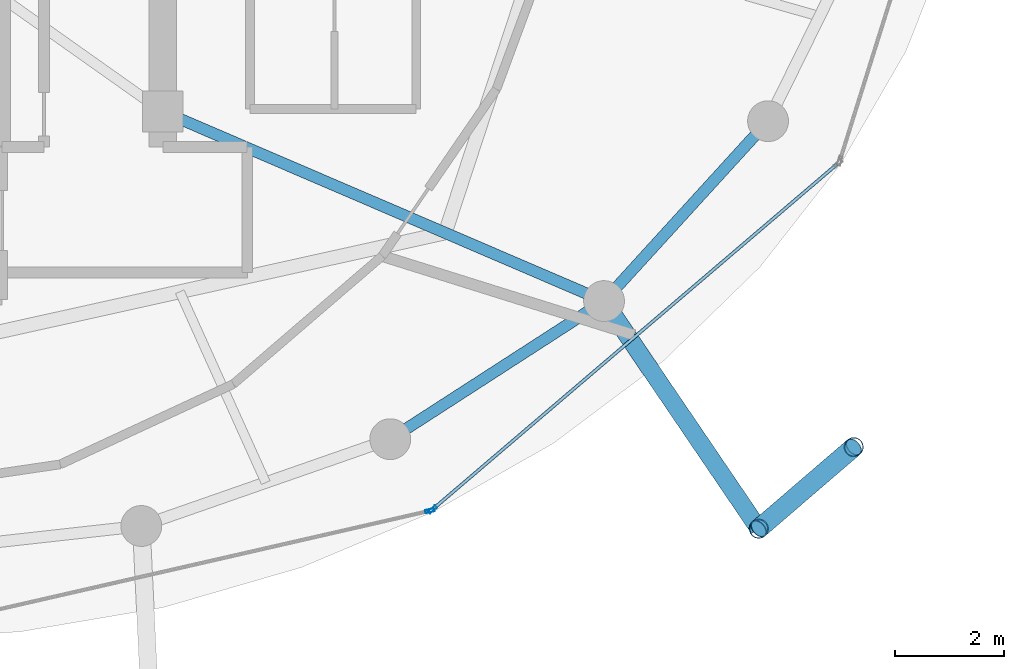
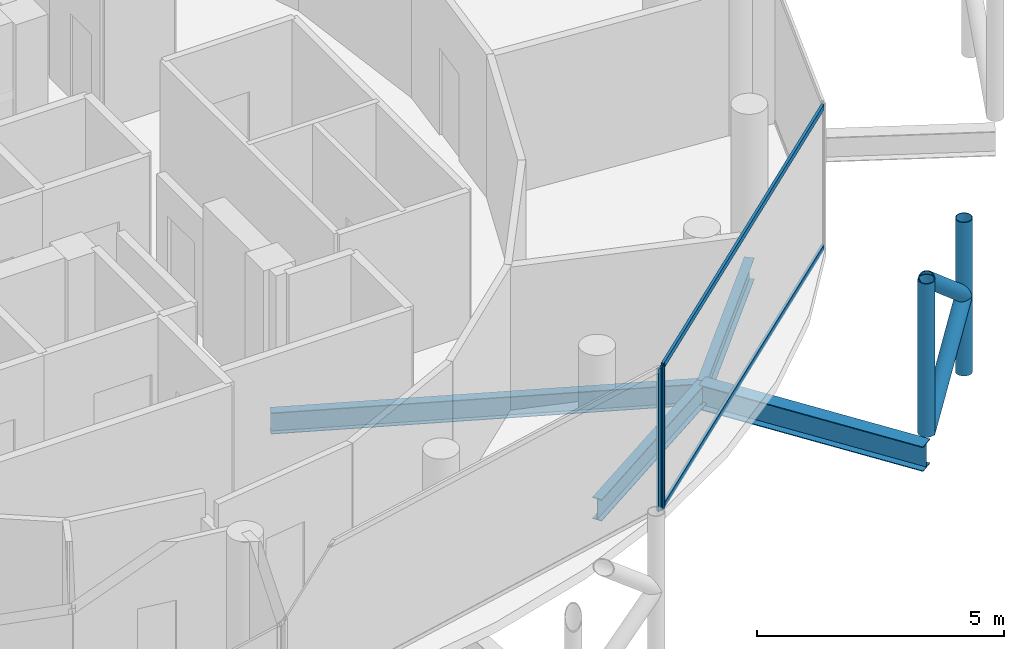
# One storey, part 9 of 24: 8 members, 4 beams, 2 elements without a shape of their own.
"""IFC4 building model written with IfcOpenShell, lengths in metres."""

import ifcopenshell
import ifcopenshell.guid

model = None  # the IFC model being written
_history = None  # IfcOwnerHistory: only IFC2X3 demands one
_inside = {}  # id of a spatial element -> (the spatial element, [elements in it])
_under = {}  # id of a project, library or spatial element -> (it, [spatial elements below it])
_declared = {}  # id of a project -> (the project, [libraries it declares])
_typed = {}  # id of a type object -> (the type object, [elements of that type])
_made_of = {}  # id of a material, layer set ... -> (it, [elements and type objects made of it])


def new_model(schema):
    """Start an empty IFC model of exactly this schema.

    Asked for "IFC4X3", IfcOpenShell would pick the latest addendum, in which some entities
    have other attributes; the version numbers below select the first issue.
    IFC2X3 requires an IfcOwnerHistory on every rooted entity: one is made here for all.
    """
    global model, _history
    if schema == "IFC4X3":
        model = ifcopenshell.file(schema_version=(4, 3, 0, 0))
    else:
        model = ifcopenshell.file(schema=schema)
    _inside.clear()
    _under.clear()
    _declared.clear()
    _typed.clear()
    _made_of.clear()
    _history = None
    if model.schema == "IFC2X3":
        org = make("IfcOrganization", Name="unknown")
        user = make(
            "IfcPersonAndOrganization",
            ThePerson=make("IfcPerson", FamilyName="unknown"),
            TheOrganization=org,
        )
        app = make(
            "IfcApplication",
            ApplicationDeveloper=org,
            Version="unknown",
            ApplicationFullName="unknown",
            ApplicationIdentifier="unknown",
        )
        _history = make(
            "IfcOwnerHistory",
            OwningUser=user,
            OwningApplication=app,
            ChangeAction="ADDED",
            CreationDate=0,
        )
    return model


def make(cls, **values):
    """One entity of the class cls with the attributes given. An attribute that is None is left unset."""
    return model.create_entity(
        cls, **{name: value for name, value in values.items() if value is not None}
    )


def rooted(cls, **values):
    """An entity with a GlobalId (a new one), such as an element, a storey or a relation."""
    return make(cls, GlobalId=ifcopenshell.guid.new(), OwnerHistory=_history, **values)


def si_unit(unit_type, name, prefix=None):
    """IfcSIUnit, for example si_unit("LENGTHUNIT", "METRE", prefix="MILLI")."""
    return make("IfcSIUnit", UnitType=unit_type, Prefix=prefix, Name=name)


def assignment(units):
    """IfcUnitAssignment: the units of a project."""
    return None if units is None else make("IfcUnitAssignment", Units=units)


def point(xyz):
    """IfcCartesianPoint."""
    return None if xyz is None else make("IfcCartesianPoint", Coordinates=xyz)


def direction(xyz):
    """IfcDirection."""
    return None if xyz is None else make("IfcDirection", DirectionRatios=xyz)


def frame(location, z_axis=None, x_axis=None):
    """IfcAxis2Placement3D, a coordinate frame: its origin and axes. An axis left out is left unset."""
    return make(
        "IfcAxis2Placement3D",
        Location=point(location),
        Axis=direction(z_axis),
        RefDirection=direction(x_axis),
    )


def frame_2d(location, x_axis=None):
    """IfcAxis2Placement2D, a coordinate frame in the plane: its origin and x axis."""
    return make(
        "IfcAxis2Placement2D", Location=point(location), RefDirection=direction(x_axis)
    )


def origin():
    """The frame at (0, 0, 0) with its axes left unset."""
    return frame((0.0, 0.0, 0.0))


def origin_2d():
    """The frame at (0, 0) in the plane with its x axis left unset."""
    return frame_2d((0.0, 0.0))


def place(relative_to, where):
    """IfcLocalPlacement: puts the frame where relative to a parent placement (None: the world)."""
    return make(
        "IfcLocalPlacement", PlacementRelTo=relative_to, RelativePlacement=where
    )


def context(
    kind, dimensions, precision=None, world=None, true_north=None, identifier=None
):
    """IfcGeometricRepresentationContext, for example the 3D "Model" context."""
    return make(
        "IfcGeometricRepresentationContext",
        ContextIdentifier=identifier,
        ContextType=kind,
        CoordinateSpaceDimension=dimensions,
        Precision=precision,
        WorldCoordinateSystem=world,
        TrueNorth=true_north,
    )


def subcontext(parent, identifier, kind, view, scale=None):
    """IfcGeometricRepresentationSubContext, for example "Body" below "Model"."""
    return make(
        "IfcGeometricRepresentationSubContext",
        ContextIdentifier=identifier,
        ContextType=kind,
        ParentContext=parent,
        TargetScale=scale,
        TargetView=view,
    )


def project(units=None, contexts=None):
    """IfcProject with its units and contexts."""
    return rooted(
        "IfcProject",
        Name="project",
        RepresentationContexts=contexts,
        UnitsInContext=assignment(units),
    )


def spatial(cls, under=None, at=None, **own):
    """A site, building, storey or space (cls), placed at a placement, below another one or the project."""
    s = rooted(cls, ObjectPlacement=at, **own)
    if under is not None:
        _under.setdefault(under.id(), (under, []))[1].append(s)
    return s


def profile(cls, at=None, kind="AREA", **sizes):
    """A parametric profile (cls). Its sizes go by their IFC names, for example OverallWidth=200.0."""
    return make(cls, ProfileType=kind, Position=at, **sizes)


def hollow_rectangle(**sizes):
    """IfcRectangleHollowProfileDef."""
    return profile("IfcRectangleHollowProfileDef", **sizes)


def hollow_circle(**sizes):
    """IfcCircleHollowProfileDef."""
    return profile("IfcCircleHollowProfileDef", **sizes)


def i_section(**sizes):
    """IfcIShapeProfileDef."""
    return profile("IfcIShapeProfileDef", **sizes)


def extrude(swept, where, along, depth):
    """IfcExtrudedAreaSolid: the profile swept, set in the frame where, extruded along a direction by depth."""
    return make(
        "IfcExtrudedAreaSolid",
        SweptArea=swept,
        Position=where,
        ExtrudedDirection=direction(along),
        Depth=depth,
    )


def shape(context_of_items, identifier, shape_type, items):
    """IfcShapeRepresentation: the items that make up one representation, for example the "Body"."""
    return make(
        "IfcShapeRepresentation",
        ContextOfItems=context_of_items,
        RepresentationIdentifier=identifier,
        RepresentationType=shape_type,
        Items=items,
    )


def material(Name=None, Category=None):
    """IfcMaterial."""
    return make("IfcMaterial", Name=Name, Category=Category)


def layer(
    of_material, thickness, ventilated=None, Name=None, Category=None, Priority=None
):
    """IfcMaterialLayer: one layer of a wall or slab, of a material (None: an air gap)."""
    return make(
        "IfcMaterialLayer",
        Material=of_material,
        LayerThickness=thickness,
        IsVentilated=ventilated,
        Name=Name,
        Category=Category,
        Priority=Priority,
    )


def layer_set(layers, Name=None):
    """IfcMaterialLayerSet."""
    return make("IfcMaterialLayerSet", MaterialLayers=layers, LayerSetName=Name)


def material_profile(
    of_material, cross_section, Name=None, Category=None, Priority=None
):
    """IfcMaterialProfile: a cross section and its material."""
    return make(
        "IfcMaterialProfile",
        Name=Name,
        Material=of_material,
        Profile=cross_section,
        Priority=Priority,
        Category=Category,
    )


def profile_set(profiles, Name=None, composite=None):
    """IfcMaterialProfileSet."""
    return make(
        "IfcMaterialProfileSet",
        Name=Name,
        MaterialProfiles=profiles,
        CompositeProfile=composite,
    )


def made_of(thing, what):
    """Note that an element or type object is made of a material, layer set ...; save() writes the relation."""
    if what is not None:
        _made_of.setdefault(what.id(), (what, []))[1].append(thing)
    return thing


def type_object(cls, material=None, **own):
    """A type object (cls), such as IfcWallType, which elements share."""
    return made_of(rooted(cls, **own), material)


def element(
    cls,
    number,
    at=None,
    inside=None,
    cuts=None,
    type_object=None,
    material=None,
    context=None,
    identifier="Body",
    shape_type=None,
    held_by="IfcProductDefinitionShape",
    body=None,
    shapes=None,
    **own,
):
    """One element of the class cls, such as IfcWall. Its Tag is "e" and its number.

    at: its placement. inside: the storey or other place that contains it. cuts: it is an
    opening in that element (IfcRelVoidsElement). A single representation is given by context,
    identifier, shape_type and body (its items); several are given by shapes. held_by: the class
    of the entity that holds the representations. save() writes the other relations.
    """
    e = rooted(cls, Tag="e%d" % number, ObjectPlacement=at, **own)
    if body is not None:
        shapes = [shape(context, identifier, shape_type, body)]
    if shapes is not None:
        e.Representation = make(held_by, Representations=shapes)
    if inside is not None:
        _inside.setdefault(inside.id(), (inside, []))[1].append(e)
    if cuts is not None:
        rooted(
            "IfcRelVoidsElement", RelatingBuildingElement=cuts, RelatedOpeningElement=e
        )
    if type_object is not None:
        _typed.setdefault(type_object.id(), (type_object, []))[1].append(e)
    return made_of(e, material)


def aggregate(whole, parts):
    """IfcRelAggregates: a whole, such as a stair, and the parts it consists of."""
    return rooted("IfcRelAggregates", RelatingObject=whole, RelatedObjects=parts)


def save(model, path):
    """Write the relations noted so far, then the file.

    IfcRelAggregates (storeys below a building ...), IfcRelContainedInSpatialStructure (elements
    in a storey), IfcRelDefinesByType, IfcRelAssociatesMaterial and IfcRelDeclares: one each for
    every whole, place, type object, material and project.
    """
    for whole, parts in _under.values():
        aggregate(whole, parts)
    for where, things in _inside.values():
        rooted(
            "IfcRelContainedInSpatialStructure",
            RelatedElements=things,
            RelatingStructure=where,
        )
    for kind, things in _typed.values():
        rooted("IfcRelDefinesByType", RelatedObjects=things, RelatingType=kind)
    for what, things in _made_of.values():
        rooted("IfcRelAssociatesMaterial", RelatedObjects=things, RelatingMaterial=what)
    for by, libraries in _declared.values():
        rooted("IfcRelDeclares", RelatingContext=by, RelatedDefinitions=libraries)
    model.write(path)


model = new_model("IFC4")

# Units and contexts
model_context = context("Model", 3, precision=1e-05, world=origin(), true_north=direction((0.0, 1.0)))
body_context = subcontext(model_context, "Body", "Model", "MODEL_VIEW")
ifc_project = project(units=[si_unit("LENGTHUNIT", "METRE"), si_unit("AREAUNIT", "SQUARE_METRE"), si_unit("VOLUMEUNIT", "CUBIC_METRE"), si_unit("PLANEANGLEUNIT", "RADIAN"), si_unit("MASSUNIT", "GRAM", prefix="KILO")], contexts=[model_context])

# Site, building, storey
site_placement = place(None, origin())
site = spatial("IfcSite", under=ifc_project, at=site_placement, CompositionType="ELEMENT")
building_placement = place(site_placement, origin())
building = spatial("IfcBuilding", under=site, at=building_placement, Name="Nuhasar Tower", CompositionType="ELEMENT")
storey_placement = place(building_placement, frame((0.0, 0.0, 289.800048828125)))
storey = spatial("IfcBuildingStorey", under=building, at=storey_placement, Name="L72", CompositionType="ELEMENT", Elevation=289.800048828125)

# Beams
ifc_material_1 = material(Name="Steel S355", Category="steel")
ifc_material_profile_1 = material_profile(ifc_material_1, i_section(OverallWidth=0.208984375, OverallDepth=0.528076171875, WebThickness=0.009521484375, FlangeThickness=0.01318359375, at=origin_2d()), Name="W21X55")
ifc_profile_set_1 = profile_set([ifc_material_profile_1], Name="Steel S355")
beam_type_1 = type_object("IfcBeamType", Name="BM-RAD-W21X55", PredefinedType="BEAM", material=ifc_profile_set_1)
beam_1_placement = place(storey_placement, frame((44.300048828125, 19.0, -0.524169921875), z_axis=(0.91887119061, -0.394557644797, 0.0), x_axis=(0.394557644797, 0.91887119061, 0.0)))
element("IfcBeam", 1, at=beam_1_placement, inside=storey, type_object=beam_type_1, Name="L72 Radial Floor Girder 03", PredefinedType="BEAM", context=body_context, shape_type="SweptSolid", body=[
    extrude(i_section(OverallWidth=0.208984375, OverallDepth=0.528076171875, WebThickness=0.009521484375, FlangeThickness=0.01318359375, at=origin_2d()), origin(), (0.0, 0.0, 1.0), 8.81494140625),
])
ifc_material_profile_2 = material_profile(ifc_material_1, i_section(OverallWidth=0.2099609375, OverallDepth=0.537109375, WebThickness=0.010986328125, FlangeThickness=0.017333984375, at=origin_2d()), Name="W21X68")
ifc_profile_set_2 = profile_set([ifc_material_profile_2], Name="Steel S355")
beam_type_2 = type_object("IfcBeamType", Name="BM-RING-W21X68", PredefinedType="SPANDREL", material=ifc_profile_set_2)
beam_2_placement = place(storey_placement, frame((48.47509765625, 12.987060546875, -0.528076171875), z_axis=(0.840025485934, 0.542546940809, 0.0), x_axis=(-0.542546940809, 0.840025485934, 0.0)))
element("IfcBeam", 2, at=beam_2_placement, inside=storey, type_object=beam_type_2, Name="L72 Perimeter Ring Spandrel 21", PredefinedType="SPANDREL", context=body_context, shape_type="SweptSolid", body=[
    extrude(i_section(OverallWidth=0.2099609375, OverallDepth=0.537109375, WebThickness=0.010986328125, FlangeThickness=0.017333984375, at=origin_2d()), origin(), (0.0, 0.0, 1.0), 4.67236328125),
])
beam_3_placement = place(storey_placement, frame((52.39990234375, 15.52197265625, -0.528076171875), z_axis=(0.673686302939, 0.739017432293, 0.0), x_axis=(-0.739017432293, 0.673686302939, 0.0)))
element("IfcBeam", 3, at=beam_3_placement, inside=storey, type_object=beam_type_2, Name="L72 Perimeter Ring Spandrel 22", PredefinedType="SPANDREL", context=body_context, shape_type="SweptSolid", body=[
    extrude(i_section(OverallWidth=0.2099609375, OverallDepth=0.537109375, WebThickness=0.010986328125, FlangeThickness=0.017333984375, at=origin_2d()), origin(), (0.0, 0.0, 1.0), 4.469482421875),
])
ifc_material_profile_3 = material_profile(ifc_material_1, i_section(OverallWidth=0.323974609375, OverallDepth=0.611083984375, WebThickness=0.0126953125, FlangeThickness=0.01904296875, at=origin_2d()), Name="W24X104")
ifc_profile_set_3 = profile_set([ifc_material_profile_3], Name="Steel S355")
beam_type_3 = type_object("IfcBeamType", Name="BM-TIE-W24X104", PredefinedType="BEAM", material=ifc_profile_set_3)
beam_4_placement = place(storey_placement, frame((52.39990234375, 15.52197265625, -0.56494140625), z_axis=(0.562093254487, -0.827073862034, 0.0), x_axis=(0.827073862034, 0.562093254487, 0.0)))
element("IfcBeam", 4, at=beam_4_placement, inside=storey, type_object=beam_type_3, Name="L72 Exoskeleton Node Tie Beam 11", PredefinedType="BEAM", context=body_context, shape_type="SweptSolid", body=[
    extrude(i_section(OverallWidth=0.323974609375, OverallDepth=0.611083984375, WebThickness=0.0126953125, FlangeThickness=0.01904296875, at=origin_2d()), origin(), (0.0, 0.0, 1.0), 5.052734375),
])

# Curtain wall, member
ifc_material_2 = material(Name="Aluminium 6063-T6", Category="aluminium")
ifc_layer = layer(ifc_material_2, 0.18994140625)
ifc_layer_set = layer_set([ifc_layer], Name="Aluminium 6063-T6")
curtain_wall_type = type_object("IfcCurtainWallType", Name="CW-Z4-PEN", PredefinedType="NOTDEFINED", material=ifc_layer_set)
curtain_wall_1_placement = place(storey_placement, origin())
curtain_wall_1 = element("IfcCurtainWall", 5, at=curtain_wall_1_placement, inside=storey, type_object=curtain_wall_type, Name="L72 Unitised Curtain Wall 10", PredefinedType="NOTDEFINED")
ifc_material_profile_4 = material_profile(ifc_material_2, hollow_rectangle(XDim=0.06005859375, YDim=0.1650390625, WallThickness=0.0048828125, at=origin_2d()), Name="CWM-5")
ifc_profile_set_4 = profile_set([ifc_material_profile_4], Name="Aluminium 6063-T6")
member_type_1 = type_object("IfcMemberType", Name="CW-MUL-S5", PredefinedType="MULLION", material=ifc_profile_set_4)
member_1_placement = place(storey_placement, frame((49.20068359375, 11.67236328125, 0.0), z_axis=(0.0, 0.0, 1.0), x_axis=(-0.222889487645, 0.97484371891, 0.0)))
member_1 = element("IfcMember", 6, at=member_1_placement, type_object=member_type_1, Name="CW-Z4 mullion 2", PredefinedType="MULLION", context=body_context, shape_type="SweptSolid", body=[
    extrude(hollow_rectangle(XDim=0.06005859375, YDim=0.1650390625, WallThickness=0.0048828125, at=origin_2d()), origin(), (0.0, 0.0, 1.0), 3.5400390625),
])
aggregate(curtain_wall_1, [member_1])

# Curtain wall, members
curtain_wall_2_placement = place(storey_placement, origin())
curtain_wall_2 = element("IfcCurtainWall", 7, at=curtain_wall_2_placement, inside=storey, type_object=curtain_wall_type, Name="L72 Unitised Curtain Wall 11", PredefinedType="NOTDEFINED")
member_2_placement = place(storey_placement, frame((49.2529296875, 11.698486328125, 0.0), z_axis=(0.0, 0.0, 1.0), x_axis=(-0.649141996205, 0.760667252327, 0.0)))
member_2 = element("IfcMember", 8, at=member_2_placement, type_object=member_type_1, Name="CW-Z4 mullion 1", PredefinedType="MULLION", context=body_context, shape_type="SweptSolid", body=[
    extrude(hollow_rectangle(XDim=0.06005859375, YDim=0.1650390625, WallThickness=0.0048828125, at=origin_2d()), origin(), (0.0, 0.0, 1.0), 3.5400390625),
])
ifc_material_profile_5 = material_profile(ifc_material_2, hollow_rectangle(XDim=0.06005859375, YDim=0.135009765625, WallThickness=0.00439453125, at=origin_2d()), Name="CWT-5")
ifc_profile_set_5 = profile_set([ifc_material_profile_5], Name="Aluminium 6063-T6")
member_type_2 = type_object("IfcMemberType", Name="CW-TRN-S5", PredefinedType="USERDEFINED", material=ifc_profile_set_5)
member_3_placement = place(storey_placement, frame((49.275634765625, 11.718017578125, 0.030029296875), z_axis=(0.760672431431, 0.649135927261, 0.0), x_axis=(-0.649135927261, 0.760672431431, 0.0)))
member_3 = element("IfcMember", 9, at=member_3_placement, type_object=member_type_2, Name="CW-Z4 transom 1.1", ObjectType="TRANSOM", PredefinedType="USERDEFINED", context=body_context, shape_type="SweptSolid", body=[
    extrude(hollow_rectangle(XDim=0.06005859375, YDim=0.135009765625, WallThickness=0.00439453125, at=origin_2d()), origin(), (0.0, 0.0, 1.0), 9.72509765625),
])
member_4_placement = place(storey_placement, frame((49.275634765625, 11.718017578125, 3.510009765625), z_axis=(0.760672431431, 0.649135927261, 0.0), x_axis=(-0.649135927261, 0.760672431431, 0.0)))
member_4 = element("IfcMember", 10, at=member_4_placement, type_object=member_type_2, Name="CW-Z4 transom 1.2", ObjectType="TRANSOM", PredefinedType="USERDEFINED", context=body_context, shape_type="SweptSolid", body=[
    extrude(hollow_rectangle(XDim=0.06005859375, YDim=0.135009765625, WallThickness=0.00439453125, at=origin_2d()), origin(), (0.0, 0.0, 1.0), 9.72509765625),
])
aggregate(curtain_wall_2, [member_2, member_3, member_4])

# Members
ifc_material_3 = material(Name="Steel S460", Category="steel")
ifc_material_profile_6 = material_profile(ifc_material_3, hollow_circle(Radius=0.177734375, WallThickness=0.015869140625, at=origin_2d()), Name="HSS355.6X15.9")
ifc_profile_set_6 = profile_set([ifc_material_profile_6], Name="Steel S460")
member_type_3 = type_object("IfcMemberType", Name="EXO-BRONZE-356", PredefinedType="BRACE", material=ifc_profile_set_6)
for number, where, z_axis, x_axis, name in (
    (11, (55.239990234375, 11.343017578125, 0.0), (0.0, 0.0, 1.0), (1.0, 0.0, 0.0), "L72 Exoskeleton Chord Column EC-11A"),
    (12, (56.98388671875, 12.842041015625, 0.0), (0.0, 0.0, 1.0), (1.0, 0.0, 0.0), "L72 Exoskeleton Chord Column EC-11B"),
):
    element("IfcMember", number, at=place(storey_placement, frame(where, z_axis=z_axis, x_axis=x_axis)), inside=storey, type_object=member_type_3, Name=name, PredefinedType="BRACE", context=body_context, shape_type="SweptSolid", body=[
        extrude(hollow_circle(Radius=0.177734375, WallThickness=0.015869140625, at=origin_2d()), origin(), (0.0, 0.0, 1.0), 3.800048828125),
    ])
member_5_placement = place(storey_placement, frame((55.239990234375, 11.343017578125, 0.0), z_axis=(0.584625223306, 0.502533791278, 0.636924749792), x_axis=(-0.65185738425, 0.758341579104, 0.0)))
element("IfcMember", 13, at=member_5_placement, inside=storey, type_object=member_type_3, Name="L72 Bronze Diagrid Brace W1-11", PredefinedType="BRACE", context=body_context, shape_type="SweptSolid", body=[
    extrude(hollow_circle(Radius=0.177734375, WallThickness=0.015869140625, at=origin_2d()), origin(), (0.0, 0.0, 1.0), 2.98291015625),
])
member_6_placement = place(storey_placement, frame((56.98388671875, 12.842041015625, 1.89990234375), z_axis=(-0.584594747408, -0.50250759472, 0.636973389203), x_axis=(0.65185738425, -0.758341579104, 0.0)))
element("IfcMember", 14, at=member_6_placement, inside=storey, type_object=member_type_3, Name="L72 Bronze Diagrid Brace W2-11", PredefinedType="BRACE", context=body_context, shape_type="SweptSolid", body=[
    extrude(hollow_circle(Radius=0.177734375, WallThickness=0.015869140625, at=origin_2d()), origin(), (0.0, 0.0, 1.0), 2.983154296875),
])

save(model, "model.ifc")
